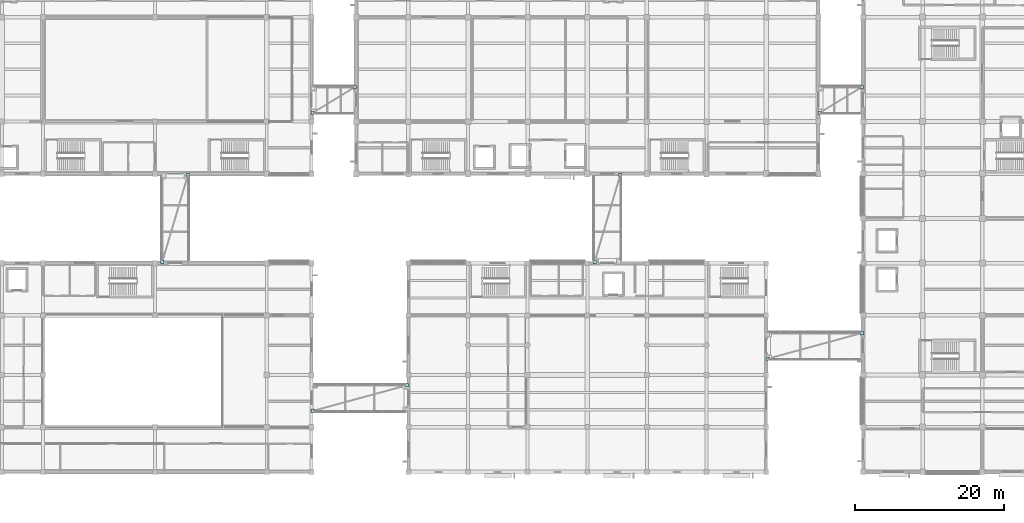
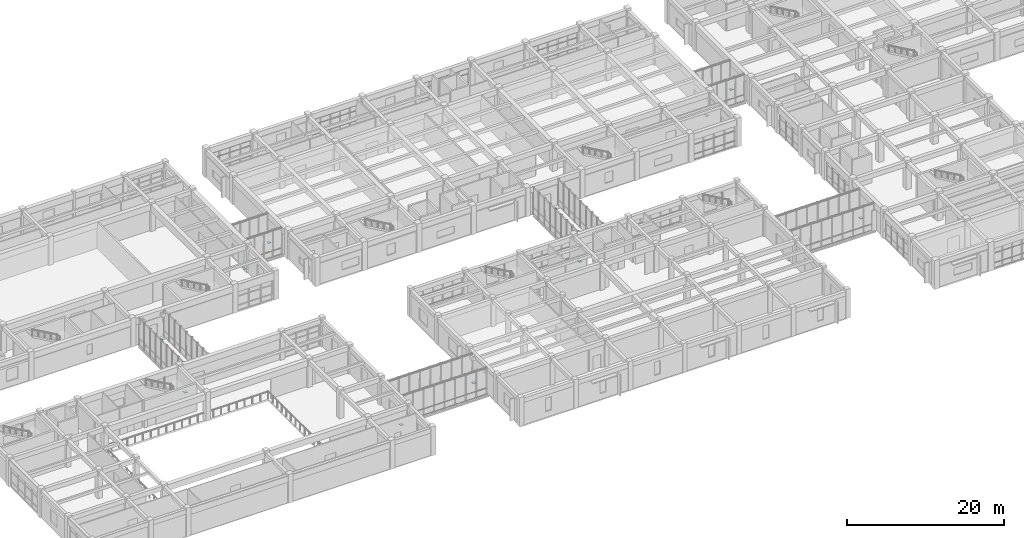
# One storey, part 44 of 70: 12 plates.
"""IFC4 building model written with IfcOpenShell, lengths in metres."""

from ifc_helpers import new_model, si_unit, direction, frame, origin, origin_2d, place, context, subcontext, project, spatial, rectangle, extrude, material, layer, layer_set, type_object, element, save


model = new_model("IFC4")

# Units and contexts
model_context = context("Model", 3, precision=1e-05, world=origin(), true_north=direction((0.0, 1.0)))
body_context = subcontext(model_context, "Body", "Model", "MODEL_VIEW")
ifc_project = project(units=[si_unit("LENGTHUNIT", "METRE"), si_unit("AREAUNIT", "SQUARE_METRE"), si_unit("VOLUMEUNIT", "CUBIC_METRE"), si_unit("PLANEANGLEUNIT", "RADIAN"), si_unit("MASSUNIT", "GRAM", prefix="KILO")], contexts=[model_context])

# Site, building, storey
site_placement = place(None, origin())
site = spatial("IfcSite", under=ifc_project, at=site_placement, CompositionType="ELEMENT")
building_placement = place(site_placement, origin())
building = spatial("IfcBuilding", under=site, at=building_placement, Name="Naurynzar Civic Courthouse", CompositionType="ELEMENT")
storey_placement = place(building_placement, frame((0.0, 0.0, 5.39990234375)))
storey = spatial("IfcBuildingStorey", under=building, at=storey_placement, Name="L02", CompositionType="ELEMENT", Elevation=5.39990234375)

# Plates
ifc_material = material(Name="Steel S355", Category="steel")
ifc_layer = layer(ifc_material, 0.02001953125)
ifc_layer_set = layer_set([ifc_layer], Name="PLT-GUSSET-450x450x20")
plate_type = type_object("IfcPlateType", Name="PLT-GUSSET-450x450x20", PredefinedType="USERDEFINED", material=ifc_layer_set)
for number, where, z_axis, x_axis, name in (
    (1, (35.97998046875, 32.179931640625, -0.414794921875), (0.0, 0.0, 1.0), (1.0, 0.0, 0.0), "BR-W1 wind brace gusset plate L02.1"),
    (2, (39.419921875, 43.820068359375, -0.414794921875), (0.0, 0.0, 1.0), (1.0, 0.0, 0.0), "BR-W1 wind brace gusset plate L02.2"),
    (3, (56.179931640625, 52.179931640625, -0.414794921875), (0.0, 0.0, 1.0), (1.0, 0.0, 0.0), "BR-N1 wind brace gusset plate L02.1"),
    (4, (61.820068359375, 55.6201171875, -0.414794921875), (0.0, 0.0, 1.0), (1.0, 0.0, 0.0), "BR-N1 wind brace gusset plate L02.2"),
    (5, (93.97998046875, 32.179931640625, -0.414794921875), (0.0, 0.0, 1.0), (1.0, 0.0, 0.0), "BR-C1 wind brace gusset plate L02.1"),
    (6, (97.419921875, 43.820068359375, -0.414794921875), (0.0, 0.0, 1.0), (1.0, 0.0, 0.0), "BR-C1 wind brace gusset plate L02.2"),
    (7, (56.179931640625, 12.179931640625, -0.414794921875), (0.0, 0.0, 1.0), (1.0, 0.0, 0.0), "BR-S1 wind brace gusset plate L02.1"),
    (8, (68.820068359375, 15.6201171875, -0.414794921875), (0.0, 0.0, 1.0), (1.0, 0.0, 0.0), "BR-S1 wind brace gusset plate L02.2"),
    (9, (124.179931640625, 52.179931640625, -0.414794921875), (0.0, 0.0, 1.0), (1.0, 0.0, 0.0), "BR-E1 wind brace gusset plate L02.1"),
    (10, (129.820068359375, 55.6201171875, -0.414794921875), (0.0, 0.0, 1.0), (1.0, 0.0, 0.0), "BR-E1 wind brace gusset plate L02.2"),
    (11, (117.179931640625, 19.179931640625, -0.414794921875), (0.0, 0.0, 1.0), (1.0, 0.0, 0.0), "BR-E2 wind brace gusset plate L02.1"),
    (12, (129.820068359375, 22.6201171875, -0.414794921875), (0.0, 0.0, 1.0), (1.0, 0.0, 0.0), "BR-E2 wind brace gusset plate L02.2"),
):
    element("IfcPlate", number, at=place(storey_placement, frame(where, z_axis=z_axis, x_axis=x_axis)), inside=storey, type_object=plate_type, Name=name, ObjectType="GUSSET PLATE", PredefinedType="USERDEFINED", context=body_context, shape_type="SweptSolid", body=[
        extrude(rectangle(XDim=0.449951171875, YDim=0.449951171875, at=origin_2d()), origin(), (0.0, 0.0, 1.0), 0.02001953125),
    ])

save(model, "model.ifc")
